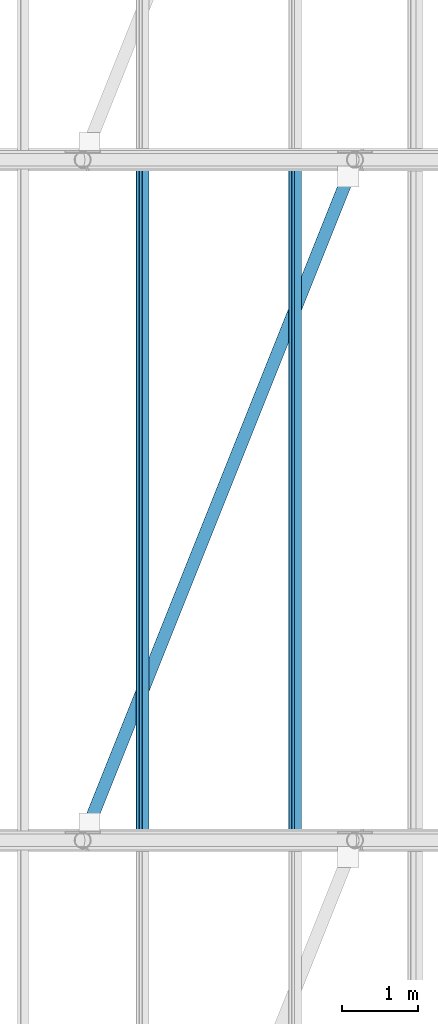
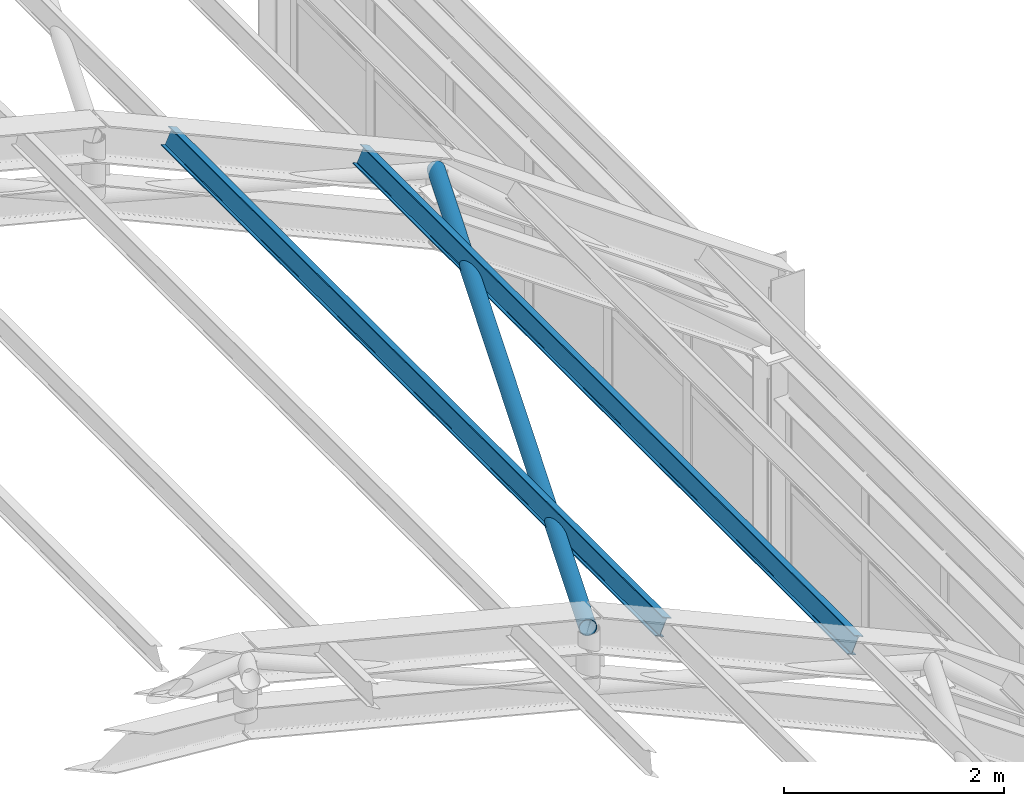
# One storey, part 78 of 121: 3 members.
"""IFC4 building model written with IfcOpenShell, lengths in metres."""

from ifc_helpers import new_model, si_unit, direction, frame, origin, origin_2d, place, context, subcontext, project, spatial, hollow_circle, i_section, extrude, material, material_profile, profile_set, type_object, element, save


model = new_model("IFC4")

# Units and contexts
model_context = context("Model", 3, precision=1e-05, world=origin(), true_north=direction((0.0, 1.0)))
body_context = subcontext(model_context, "Body", "Model", "MODEL_VIEW")
ifc_project = project(units=[si_unit("LENGTHUNIT", "METRE"), si_unit("AREAUNIT", "SQUARE_METRE"), si_unit("VOLUMEUNIT", "CUBIC_METRE"), si_unit("PLANEANGLEUNIT", "RADIAN"), si_unit("MASSUNIT", "GRAM", prefix="KILO")], contexts=[model_context])

# Site, building, storey
site_placement = place(None, origin())
site = spatial("IfcSite", under=ifc_project, at=site_placement, CompositionType="ELEMENT")
building_placement = place(site_placement, origin())
building = spatial("IfcBuilding", under=site, at=building_placement, Name="Canglan Escarpment Cableway Terminal", CompositionType="ELEMENT")
storey_placement = place(building_placement, frame((0.0, 0.0, 24.60009765625)))
storey = spatial("IfcBuildingStorey", under=building, at=storey_placement, Name="L05", CompositionType="ELEMENT", Elevation=24.60009765625)

# Members
ifc_material = material(Name="Steel Q355B", Category="steel")
ifc_material_profile_1 = material_profile(ifc_material, hollow_circle(Radius=0.084228515625, WallThickness=0.006103515625, at=origin_2d()), Name="CHS 168.3x6")
ifc_profile_set_1 = profile_set([ifc_material_profile_1], Name="Steel Q355B")
member_type_1 = type_object("IfcMemberType", Name="MB-ROOF-BR-CHS168", PredefinedType="BRACE", material=ifc_profile_set_1)
member_placement = place(storey_placement, frame((159.199951171875, 106.0, 7.23828125), z_axis=(0.366307573698, 0.915744093096, -0.165019748547), x_axis=(-0.928473216852, 0.37139936132, 0.0)))
element("IfcMember", 1, at=member_placement, inside=storey, type_object=member_type_1, Name="Vault roof plane wind brace BR-03", PredefinedType="BRACE", context=body_context, shape_type="SweptSolid", body=[
    extrude(hollow_circle(Radius=0.084228515625, WallThickness=0.006103515625, at=origin_2d()), origin(), (0.0, 0.0, 1.0), 9.828125),
])
ifc_material_profile_2 = material_profile(ifc_material, i_section(OverallWidth=0.10009765625, OverallDepth=0.199951171875, WebThickness=0.005615234375, FlangeThickness=0.008056640625, FilletRadius=0.010986328125, at=origin_2d()), Name="HN 200x100x5.5x8")
ifc_profile_set_2 = profile_set([ifc_material_profile_2], Name="Steel Q355B")
member_type_2 = type_object("IfcMemberType", Name="MB-VAULT-PUR-HN200", PredefinedType="PURLIN", material=ifc_profile_set_2)
for number, where, z_axis, x_axis, name in (
    (2, (159.991943359375, 106.0, 6.968017578125), (0.0, 1.0, 0.0), (-0.911740537138, 0.0, 0.410766591799), "Barrel-vault roof purlin PR-01"),
    (3, (162.008056640625, 106.0, 6.059814453125), (0.0, 1.0, 0.0), (-0.911740537138, 0.0, 0.410766591799), "Barrel-vault roof purlin PR-01"),
):
    element("IfcMember", number, at=place(storey_placement, frame(where, z_axis=z_axis, x_axis=x_axis)), inside=storey, type_object=member_type_2, Name=name, PredefinedType="PURLIN", context=body_context, shape_type="SweptSolid", body=[
        extrude(i_section(OverallWidth=0.10009765625, OverallDepth=0.199951171875, WebThickness=0.005615234375, FlangeThickness=0.008056640625, FilletRadius=0.010986328125, at=origin_2d()), origin(), (0.0, 0.0, 1.0), 9.0),
    ])

save(model, "model.ifc")
